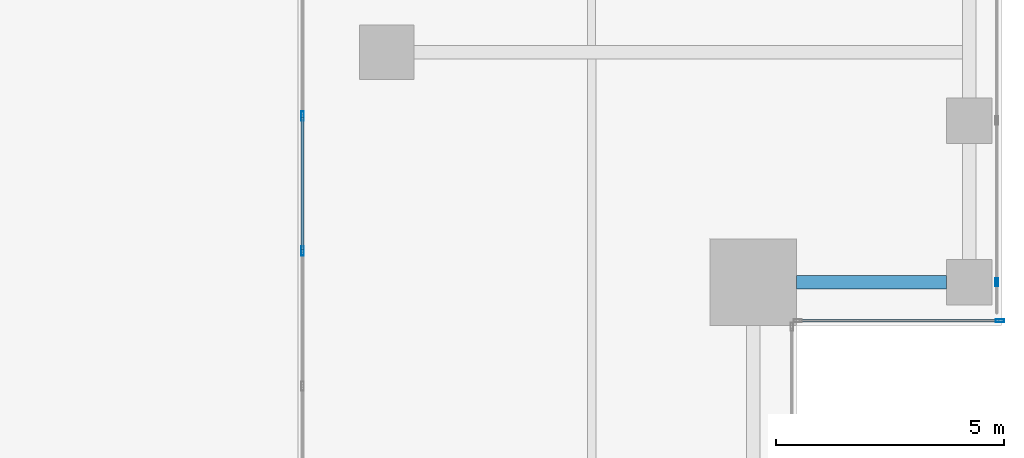
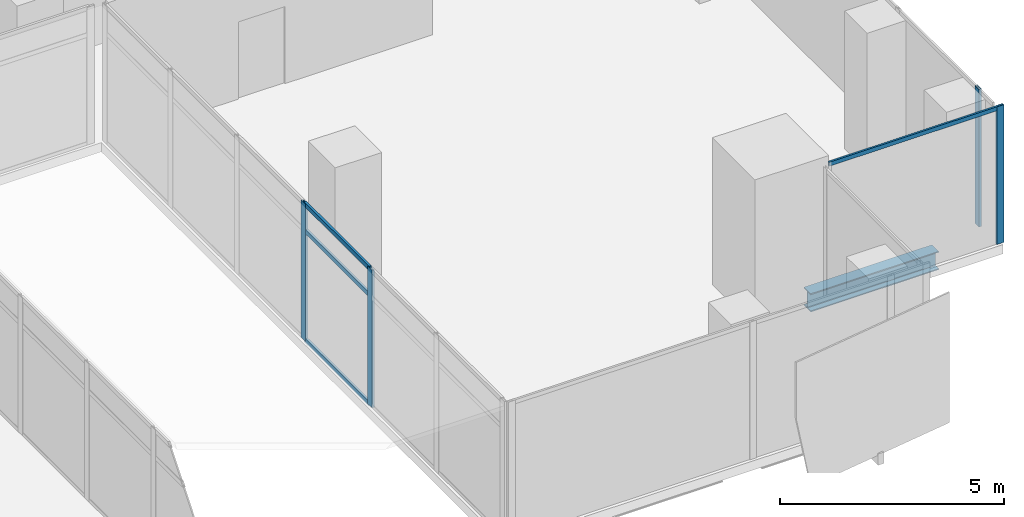
# One storey, part 10 of 40: 8 members, 1 beam, 3 elements without a shape of their own.
"""IFC4 building model written with IfcOpenShell, lengths in metres."""

from ifc_helpers import new_model, si_unit, direction, frame, origin, origin_2d, place, context, subcontext, project, spatial, hollow_rectangle, i_section, extrude, source, transform, mapped, material, material_profile, profile_set, type_object, element, aggregate, save


model = new_model("IFC4")

# Units and contexts
model_context = context("Model", 3, precision=1e-05, world=origin(), true_north=direction((0.0, 1.0)))
body_context = subcontext(model_context, "Body", "Model", "MODEL_VIEW")
ifc_project = project(units=[si_unit("LENGTHUNIT", "METRE"), si_unit("AREAUNIT", "SQUARE_METRE"), si_unit("VOLUMEUNIT", "CUBIC_METRE"), si_unit("PLANEANGLEUNIT", "RADIAN"), si_unit("MASSUNIT", "GRAM", prefix="KILO")], contexts=[model_context])

# Site, building, storey
site_placement = place(None, origin())
site = spatial("IfcSite", under=ifc_project, at=site_placement, CompositionType="ELEMENT")
building_placement = place(site_placement, origin())
building = spatial("IfcBuilding", under=site, at=building_placement, Name="Khomas Fold Tower", CompositionType="ELEMENT")
storey_placement = place(building_placement, frame((0.0, 0.0, 184.699951171875)))
storey = spatial("IfcBuildingStorey", under=building, at=storey_placement, Name="L40", CompositionType="ELEMENT", Elevation=184.699951171875)

# Beam
ifc_material_1 = material(Name="Steel S355", Category="steel")
ifc_material_profile_1 = material_profile(ifc_material_1, i_section(OverallWidth=0.300048828125, OverallDepth=0.5, WebThickness=0.014404296875, FlangeThickness=0.028076171875, at=origin_2d()), Name="HE 500 B")
ifc_profile_set_1 = profile_set([ifc_material_profile_1], Name="Steel S355")
beam_type = type_object("IfcBeamType", Name="HE 500 B spandrel SB3", PredefinedType="SPANDREL", material=ifc_profile_set_1)
shared_shape_1 = source(origin(), body_context, "Body", "SweptSolid", [
    extrude(i_section(OverallWidth=0.300048828125, OverallDepth=0.5, WebThickness=0.014404296875, FlangeThickness=0.028076171875, at=origin_2d()), origin(), (0.0, 0.0, 1.0), 3.300048828125),
])
beam_placement = place(storey_placement, frame((46.5, 8.449951171875, -0.5), z_axis=(1.0, 0.0, 0.0), x_axis=(0.0, 1.0, 0.0)))
element("IfcBeam", 1, at=beam_placement, inside=storey, type_object=beam_type, Name="SB3", PredefinedType="SPANDREL", context=body_context, shape_type="MappedRepresentation", body=[
    mapped(shared_shape_1, transform((0.0, 0.0, 0.0))),
])

# Curtain wall, member
ifc_material_2 = material(Name="Aluminium framed double glazing", Category="aluminium")
curtain_wall_type_1 = type_object("IfcCurtainWallType", Name="SK-Unitised clear-glass wall, office floors CW2", PredefinedType="NOTDEFINED", material=ifc_material_2)
curtain_wall_1_placement = place(storey_placement, origin())
curtain_wall_1 = element("IfcCurtainWall", 2, at=curtain_wall_1_placement, inside=storey, type_object=curtain_wall_type_1, Name="CW2 corner return L40 07", PredefinedType="NOTDEFINED")
ifc_material_3 = material(Name="Aluminium", Category="aluminium")
ifc_material_profile_2 = material_profile(ifc_material_3, hollow_rectangle(XDim=0.06005859375, YDim=0.179931640625, WallThickness=0.00390625, at=origin_2d()), Name="SK-Unitised clear-glass wall, office floors mullion CW2-M")
ifc_profile_set_2 = profile_set([ifc_material_profile_2], Name="Aluminium")
member_type_1 = type_object("IfcMemberType", Name="SK-Unitised clear-glass wall, office floors mullion CW2-M", PredefinedType="MULLION", material=ifc_profile_set_2)
shared_shape_2 = source(origin(), body_context, "Body", "SweptSolid", [
    extrude(hollow_rectangle(XDim=0.06005859375, YDim=0.179931640625, WallThickness=0.00390625, at=origin_2d()), origin(), (0.0, 0.0, 1.0), 3.75),
])
member_1_placement = place(storey_placement, frame((50.969970703125, 7.60009765625, 0.0), z_axis=(0.0, 0.0, 1.0), x_axis=(0.0, 1.0, 0.0)))
member_1 = element("IfcMember", 3, at=member_1_placement, type_object=member_type_1, Name="CW2 mullion 2", PredefinedType="MULLION", context=body_context, shape_type="MappedRepresentation", body=[
    mapped(shared_shape_2, transform((0.0, 0.0, 0.0))),
])

curtain_wall_2_placement = place(storey_placement, origin())
curtain_wall_2 = element("IfcCurtainWall", 4, at=curtain_wall_2_placement, inside=storey, type_object=curtain_wall_type_1, Name="CW2 run L40 08-0", PredefinedType="NOTDEFINED")
member_2_placement = place(storey_placement, frame((50.89990234375, 8.449951171875, 0.0), z_axis=(0.0, 0.0, 1.0), x_axis=(-1.0, 0.0, 0.0)))
member_2 = element("IfcMember", 5, at=member_2_placement, type_object=member_type_1, Name="CW2 mullion 2", PredefinedType="MULLION", context=body_context, shape_type="MappedRepresentation", body=[
    mapped(shared_shape_2, transform((0.0, 0.0, 0.0))),
])
aggregate(curtain_wall_2, [member_2])

# Member
ifc_material_4 = material(Name="Aluminium", Category="aluminium")
ifc_material_profile_3 = material_profile(ifc_material_4, hollow_rectangle(XDim=0.050048828125, YDim=0.110107421875, WallThickness=0.00390625, at=origin_2d()), Name="SK-Unitised clear-glass wall, office floors transom CW2-T")
ifc_profile_set_3 = profile_set([ifc_material_profile_3], Name="Aluminium")
member_type_2 = type_object("IfcMemberType", Name="SK-Unitised clear-glass wall, office floors transom CW2-T", PredefinedType="USERDEFINED", material=ifc_profile_set_3)
shared_shape_3 = source(origin(), body_context, "Body", "SweptSolid", [
    extrude(hollow_rectangle(XDim=0.050048828125, YDim=0.110107421875, WallThickness=0.00390625, at=origin_2d()), origin(), (0.0, 0.0, 1.0), 4.3798828125),
])
member_3_placement = place(storey_placement, frame((46.56005859375, 7.60009765625, 3.695068359375), z_axis=(1.0, 0.0, 0.0), x_axis=(0.0, 1.0, 0.0)))
member_3 = element("IfcMember", 6, at=member_3_placement, type_object=member_type_2, Name="CW2 transom 1", ObjectType="TRANSOM", PredefinedType="USERDEFINED", context=body_context, shape_type="MappedRepresentation", body=[
    mapped(shared_shape_3, transform((0.0, 0.0, 0.0))),
])

aggregate(curtain_wall_1, [member_1, member_3])

# Curtain wall, members
ifc_material_5 = material(Name="Aluminium framed double glazing", Category="aluminium")
curtain_wall_type_2 = type_object("IfcCurtainWallType", Name="Notch glazing GN-CW", PredefinedType="NOTDEFINED", material=ifc_material_5)
curtain_wall_3_placement = place(storey_placement, origin())
curtain_wall_3 = element("IfcCurtainWall", 7, at=curtain_wall_3_placement, inside=storey, type_object=curtain_wall_type_2, Name="Notch glazing run", PredefinedType="NOTDEFINED")
ifc_material_6 = material(Name="Aluminium", Category="aluminium")
ifc_material_profile_4 = material_profile(ifc_material_6, hollow_rectangle(XDim=0.06005859375, YDim=0.1201171875, WallThickness=0.00390625, at=origin_2d()), Name="Notch glazing transom GN-CW-T")
ifc_profile_set_4 = profile_set([ifc_material_profile_4], Name="Aluminium")
member_type_3 = type_object("IfcMemberType", Name="Notch glazing transom GN-CW-T", PredefinedType="USERDEFINED", material=ifc_profile_set_4)
shared_shape_4 = source(origin(), body_context, "Body", "SweptSolid", [
    extrude(hollow_rectangle(XDim=0.06005859375, YDim=0.1201171875, WallThickness=0.00390625, at=origin_2d()), origin(), (0.0, 0.0, 1.0), 2.90673828125),
])
member_4_placement = place(storey_placement, frame((35.64990234375, 12.070068359375, 0.030029296875), z_axis=(0.0, -1.0, 0.0), x_axis=(1.0, 0.0, 0.0)))
member_4 = element("IfcMember", 8, at=member_4_placement, type_object=member_type_3, Name="GN-CW transom 4.1", ObjectType="TRANSOM", PredefinedType="USERDEFINED", context=body_context, shape_type="MappedRepresentation", body=[
    mapped(shared_shape_4, transform((0.0, 0.0, 0.0))),
])
member_5_placement = place(storey_placement, frame((35.64990234375, 12.070068359375, 3.0), z_axis=(0.0, -1.0, 0.0), x_axis=(1.0, 0.0, 0.0)))
member_5 = element("IfcMember", 9, at=member_5_placement, type_object=member_type_3, Name="GN-CW transom 4.2", ObjectType="TRANSOM", PredefinedType="USERDEFINED", context=body_context, shape_type="MappedRepresentation", body=[
    mapped(shared_shape_4, transform((0.0, 0.0, 0.0))),
])
member_6_placement = place(storey_placement, frame((35.64990234375, 12.070068359375, 3.719970703125), z_axis=(0.0, -1.0, 0.0), x_axis=(1.0, 0.0, 0.0)))
member_6 = element("IfcMember", 10, at=member_6_placement, type_object=member_type_3, Name="GN-CW transom 4.3", ObjectType="TRANSOM", PredefinedType="USERDEFINED", context=body_context, shape_type="MappedRepresentation", body=[
    mapped(shared_shape_4, transform((0.0, 0.0, 0.0))),
])
ifc_material_7 = material(Name="Aluminium", Category="aluminium")
ifc_material_profile_5 = material_profile(ifc_material_7, hollow_rectangle(XDim=0.06005859375, YDim=0.199951171875, WallThickness=0.00390625, at=origin_2d()), Name="Notch glazing mullion GN-CW-M")
ifc_profile_set_5 = profile_set([ifc_material_profile_5], Name="Aluminium")
member_type_4 = type_object("IfcMemberType", Name="Notch glazing mullion GN-CW-M", PredefinedType="MULLION", material=ifc_profile_set_5)
shared_shape_5 = source(origin(), body_context, "Body", "SweptSolid", [
    extrude(hollow_rectangle(XDim=0.06005859375, YDim=0.199951171875, WallThickness=0.00390625, at=origin_2d()), origin(), (0.0, 0.0, 1.0), 3.75),
])
member_7_placement = place(storey_placement, frame((35.64990234375, 12.10009765625, 0.0), z_axis=(0.0, 0.0, 1.0), x_axis=(1.0, 0.0, 0.0)))
member_7 = element("IfcMember", 11, at=member_7_placement, type_object=member_type_4, Name="GN-CW mullion 4", PredefinedType="MULLION", context=body_context, shape_type="MappedRepresentation", body=[
    mapped(shared_shape_5, transform((0.0, 0.0, 0.0))),
])
member_8_placement = place(storey_placement, frame((35.64990234375, 9.13330078125, 0.0), z_axis=(0.0, 0.0, 1.0), x_axis=(1.0, 0.0, 0.0)))
member_8 = element("IfcMember", 12, at=member_8_placement, type_object=member_type_4, Name="GN-CW mullion 5", PredefinedType="MULLION", context=body_context, shape_type="MappedRepresentation", body=[
    mapped(shared_shape_5, transform((0.0, 0.0, 0.0))),
])
aggregate(curtain_wall_3, [member_7, member_8, member_4, member_5, member_6])

save(model, "model.ifc")
